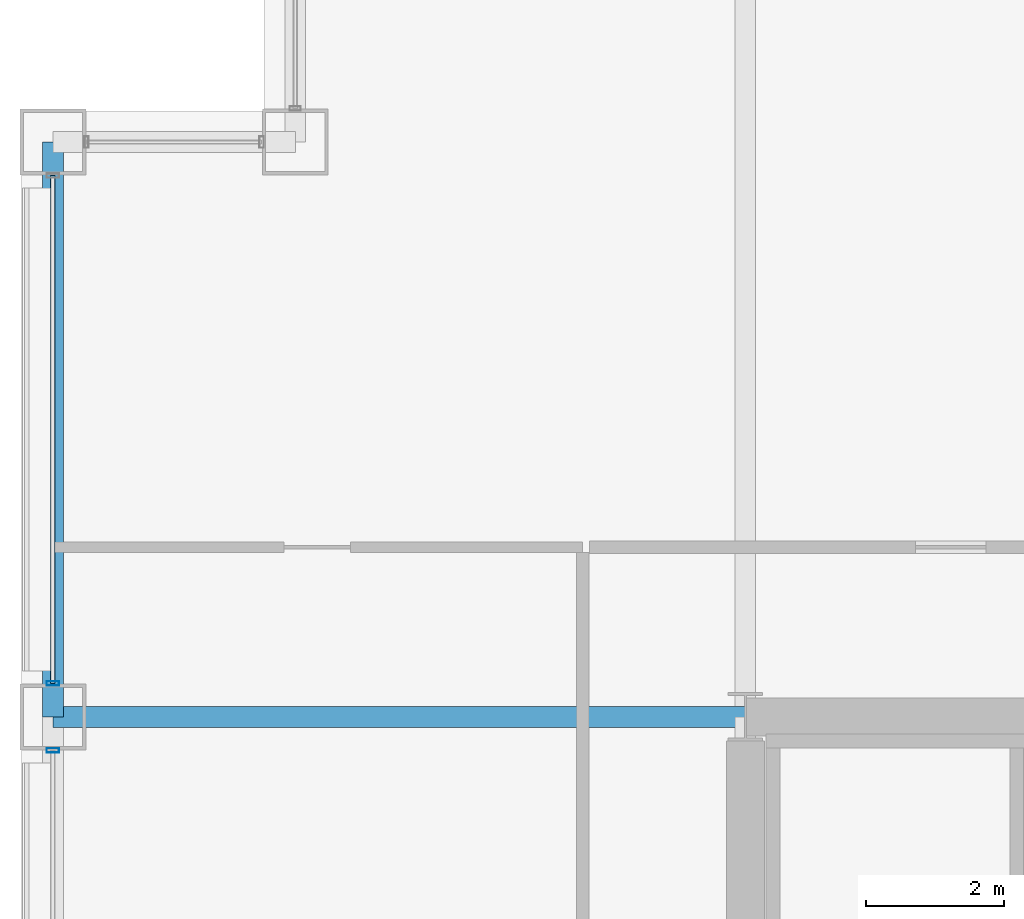
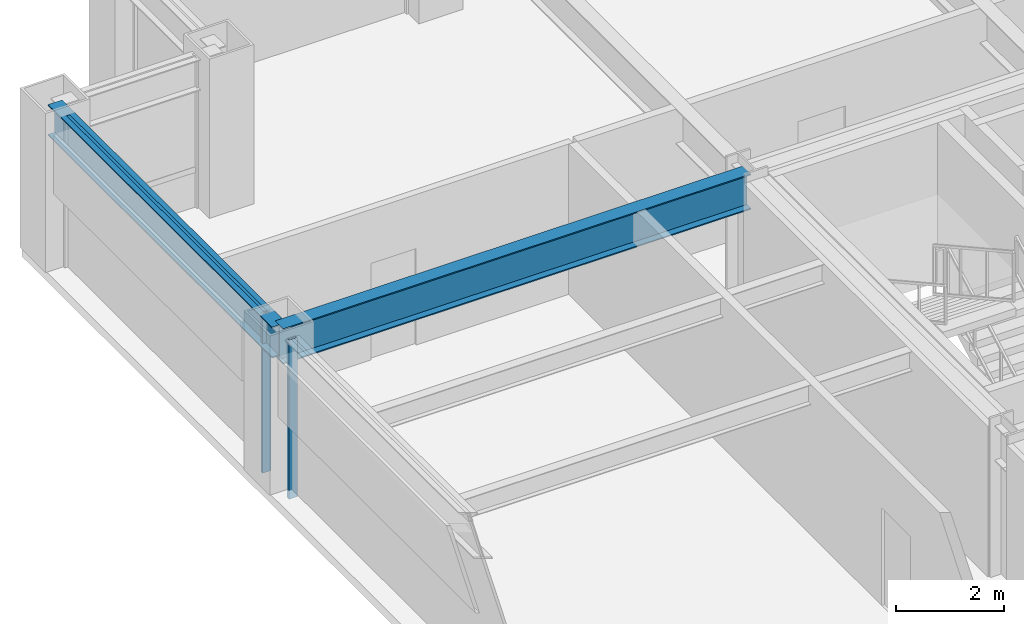
# One storey, part 15 of 31: 3 members, 2 beams, 2 elements without a shape of their own.
"""IFC4 building model written with IfcOpenShell, lengths in metres."""

from ifc_helpers import new_model, si_unit, direction, frame, origin, origin_2d, place, context, subcontext, project, spatial, hollow_rectangle, i_section, extrude, material, layer, layer_set, material_profile, profile_set, type_object, element, aggregate, save


model = new_model("IFC4")

# Units and contexts
model_context = context("Model", 3, precision=1e-05, world=origin(), true_north=direction((0.0, 1.0)))
body_context = subcontext(model_context, "Body", "Model", "MODEL_VIEW")
ifc_project = project(units=[si_unit("LENGTHUNIT", "METRE"), si_unit("AREAUNIT", "SQUARE_METRE"), si_unit("VOLUMEUNIT", "CUBIC_METRE"), si_unit("PLANEANGLEUNIT", "RADIAN"), si_unit("MASSUNIT", "GRAM", prefix="KILO")], contexts=[model_context])

# Site, building, storey
site_placement = place(None, origin())
site = spatial("IfcSite", under=ifc_project, at=site_placement, CompositionType="ELEMENT")
building_placement = place(site_placement, origin())
building = spatial("IfcBuilding", under=site, at=building_placement, Name="Brelmoor Portico Tower", CompositionType="ELEMENT")
storey_placement = place(building_placement, frame((0.0, 0.0, 27.60009765625)))
storey = spatial("IfcBuildingStorey", under=building, at=storey_placement, Name="L06", CompositionType="ELEMENT", Elevation=27.60009765625)

# Beams
ifc_material_1 = material(Name="Steel Q355B", Category="steel")
ifc_material_profile_1 = material_profile(ifc_material_1, i_section(OverallWidth=0.300048828125, OverallDepth=0.800048828125, WebThickness=0.013916015625, FlangeThickness=0.02587890625, at=origin_2d()), Name="HN 800x300x14x26")
ifc_profile_set_1 = profile_set([ifc_material_profile_1], Name="Steel Q355B")
beam_type_1 = type_object("IfcBeamType", Name="BM-PG-800", PredefinedType="BEAM", material=ifc_profile_set_1)
beam_1_placement = place(storey_placement, frame((-24.550048828125, 9.75, 3.0), z_axis=(1.0, 0.0, 0.0), x_axis=(0.0, 1.0, 0.0)))
element("IfcBeam", 1, at=beam_1_placement, inside=storey, type_object=beam_type_1, Name="L06 Primary Floor Girder PG-27", PredefinedType="BEAM", context=body_context, shape_type="SweptSolid", body=[
    extrude(i_section(OverallWidth=0.300048828125, OverallDepth=0.800048828125, WebThickness=0.013916015625, FlangeThickness=0.02587890625, at=origin_2d()), origin(), (0.0, 0.0, 1.0), 10.0),
])
ifc_material_profile_2 = material_profile(ifc_material_1, i_section(OverallWidth=0.300048828125, OverallDepth=0.699951171875, WebThickness=0.012939453125, FlangeThickness=0.02392578125, at=origin_2d()), Name="HN 700x300x13x24")
ifc_profile_set_2 = profile_set([ifc_material_profile_2], Name="Steel Q355B")
beam_type_2 = type_object("IfcBeamType", Name="BM-SP-700", PredefinedType="SPANDREL", material=ifc_profile_set_2)
beam_2_placement = place(storey_placement, frame((-24.550048828125, 9.75, 3.0498046875), z_axis=(0.0, 1.0, 0.0), x_axis=(-1.0, 0.0, 0.0)))
element("IfcBeam", 2, at=beam_2_placement, inside=storey, type_object=beam_type_2, Name="L06 Perimeter Spandrel Beam SP-17", PredefinedType="SPANDREL", context=body_context, shape_type="SweptSolid", body=[
    extrude(i_section(OverallWidth=0.300048828125, OverallDepth=0.699951171875, WebThickness=0.012939453125, FlangeThickness=0.02392578125, at=origin_2d()), origin(), (0.0, 0.0, 1.0), 8.300048828125),
])

# Curtain wall, member
ifc_material_2 = material(Name="Anodised Aluminium Alloy 6063-T6", Category="aluminium")
ifc_layer = layer(ifc_material_2, 0.179931640625)
ifc_layer_set = layer_set([ifc_layer], Name="Anodised Aluminium Alloy 6063-T6")
curtain_wall_type = type_object("IfcCurtainWallType", Name="CW-TOWER-Z1-XB", PredefinedType="NOTDEFINED", material=ifc_layer_set)
curtain_wall_1_placement = place(storey_placement, origin())
curtain_wall_1 = element("IfcCurtainWall", 3, at=curtain_wall_1_placement, inside=storey, type_object=curtain_wall_type, Name="L06 Curtain Wall CW-L06-03-2", PredefinedType="NOTDEFINED")
ifc_material_profile_3 = material_profile(ifc_material_2, hollow_rectangle(XDim=0.06494140625, YDim=0.179931640625, WallThickness=0.00390625, at=origin_2d()), Name="ALU MULLION 65x180")
ifc_profile_set_3 = profile_set([ifc_material_profile_3], Name="Anodised Aluminium Alloy 6063-T6")
member_type_1 = type_object("IfcMemberType", Name="MB-CW-MULL-180", PredefinedType="MULLION", material=ifc_profile_set_3)
member_1_placement = place(storey_placement, frame((-24.550048828125, 9.264892578125, -0.2001953125), z_axis=(0.0, 0.0, 1.0), x_axis=(0.0, 1.0, 0.0)))
member_1 = element("IfcMember", 4, at=member_1_placement, type_object=member_type_1, Name="CW-L06-03-2 Mullion 02", PredefinedType="MULLION", context=body_context, shape_type="SweptSolid", body=[
    extrude(hollow_rectangle(XDim=0.06494140625, YDim=0.179931640625, WallThickness=0.00390625, at=origin_2d()), origin(), (0.0, 0.0, 1.0), 3.60009765625),
])
aggregate(curtain_wall_1, [member_1])

# Curtain wall, members
curtain_wall_2_placement = place(storey_placement, origin())
curtain_wall_2 = element("IfcCurtainWall", 5, at=curtain_wall_2_placement, inside=storey, type_object=curtain_wall_type, Name="L06 Curtain Wall CW-L06-03-3", PredefinedType="NOTDEFINED")
member_2_placement = place(storey_placement, frame((-24.550048828125, 10.235107421875, -0.2001953125), z_axis=(0.0, 0.0, 1.0), x_axis=(0.0, 1.0, 0.0)))
member_2 = element("IfcMember", 6, at=member_2_placement, type_object=member_type_1, Name="CW-L06-03-3 Mullion 00", PredefinedType="MULLION", context=body_context, shape_type="SweptSolid", body=[
    extrude(hollow_rectangle(XDim=0.06494140625, YDim=0.179931640625, WallThickness=0.00390625, at=origin_2d()), origin(), (0.0, 0.0, 1.0), 3.60009765625),
])
ifc_material_profile_4 = material_profile(ifc_material_2, hollow_rectangle(XDim=0.06494140625, YDim=0.139892578125, WallThickness=0.00390625, at=origin_2d()), Name="ALU TRANSOM 65x140")
ifc_profile_set_4 = profile_set([ifc_material_profile_4], Name="Anodised Aluminium Alloy 6063-T6")
member_type_2 = type_object("IfcMemberType", Name="MB-CW-TRAN-140", PredefinedType="USERDEFINED", material=ifc_profile_set_4)
member_3_placement = place(storey_placement, frame((-24.550048828125, 10.235107421875, 3.329833984375), z_axis=(0.0, 1.0, 0.0), x_axis=(-1.0, 0.0, 0.0)))
member_3 = element("IfcMember", 7, at=member_3_placement, type_object=member_type_2, Name="CW-L06-03-3 Transom 1-00", ObjectType="TRANSOM", PredefinedType="USERDEFINED", context=body_context, shape_type="SweptSolid", body=[
    extrude(hollow_rectangle(XDim=0.06494140625, YDim=0.139892578125, WallThickness=0.00390625, at=origin_2d()), origin(), (0.0, 0.0, 1.0), 7.329833984375),
])
aggregate(curtain_wall_2, [member_2, member_3])

save(model, "model.ifc")
